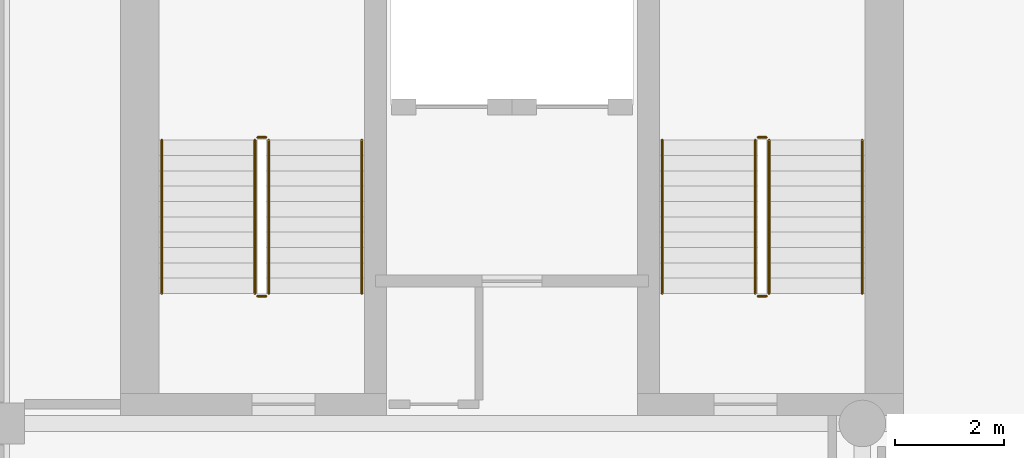
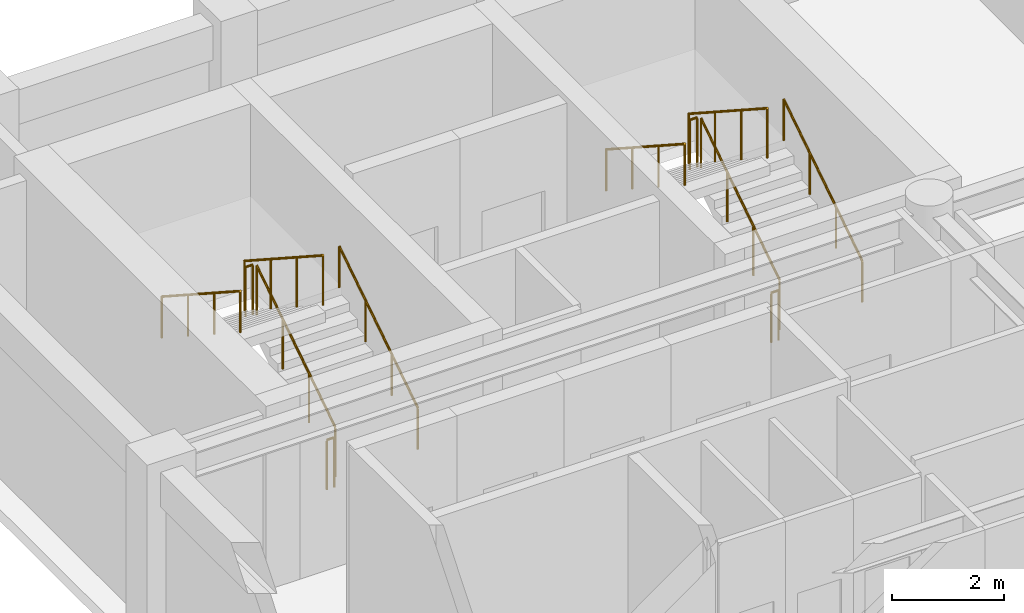
# One storey, part 7 of 8: 12 railings.
"""IFC4 building model written with IfcOpenShell, lengths in metres."""

from ifc_helpers import new_model, si_unit, direction, frame, origin, origin_2d, place, context, subcontext, project, spatial, circle, extrude, material, type_object, element, save


model = new_model("IFC4")

# Units and contexts
model_context = context("Model", 3, precision=1e-05, world=origin(), true_north=direction((0.0, 1.0)))
body_context = subcontext(model_context, "Body", "Model", "MODEL_VIEW")
ifc_project = project(units=[si_unit("LENGTHUNIT", "METRE"), si_unit("AREAUNIT", "SQUARE_METRE"), si_unit("VOLUMEUNIT", "CUBIC_METRE"), si_unit("PLANEANGLEUNIT", "RADIAN"), si_unit("MASSUNIT", "GRAM", prefix="KILO")], contexts=[model_context])

# Site, building, storey
site_placement = place(None, origin())
site = spatial("IfcSite", under=ifc_project, at=site_placement, CompositionType="ELEMENT")
building_placement = place(site_placement, origin())
building = spatial("IfcBuilding", under=site, at=building_placement, Name="Sulina Concourse Tower", CompositionType="ELEMENT")
storey_placement = place(building_placement, frame((0.0, 0.0, 248.60009765625)))
storey = spatial("IfcBuildingStorey", under=building, at=storey_placement, Name="L60", CompositionType="ELEMENT", Elevation=248.60009765625)

# Railings
ifc_material_1 = material(Name="Galvanised steel railing", Category="steel")
railing_type_1 = type_object("IfcRailingType", Name="Core Stair Steel Guardrail 1150mm", PredefinedType="GUARDRAIL", material=ifc_material_1)
railing_1_placement = place(storey_placement, frame((5.554931640625, 36.375, 0.181640625)))
element("IfcRailing", 1, at=railing_1_placement, inside=storey, type_object=railing_type_1, Name="L60 ST-1 stair guard 1", PredefinedType="GUARDRAIL", context=body_context, shape_type="SweptSolid", body=[
    extrude(circle(Radius=0.02392578125, at=origin_2d()), frame((0.0, 0.0, 1.076171875), z_axis=(0.0, 0.838672427954, 0.544636170843), x_axis=(-1.0, 0.0, 0.0)), (0.0, 0.0, 1.0), 3.338623046875),
    extrude(circle(Radius=0.02099609375, at=origin_2d()), origin(), (0.0, 0.0, 1.0), 1.052001953125),
    extrude(circle(Radius=0.02099609375, at=origin_2d()), frame((0.0, 0.933349609375, 0.606201171875)), (0.0, 0.0, 1.0), 1.052001953125),
    extrude(circle(Radius=0.02099609375, at=origin_2d()), frame((0.0, 1.86669921875, 1.212158203125)), (0.0, 0.0, 1.0), 1.052001953125),
    extrude(circle(Radius=0.02099609375, at=origin_2d()), frame((0.0, 2.800048828125, 1.818359375)), (0.0, 0.0, 1.0), 1.052001953125),
])
railing_2_placement = place(storey_placement, frame((5.5048828125, 39.22509765625, 2.0)))
element("IfcRailing", 2, at=railing_2_placement, inside=storey, type_object=railing_type_1, Name="L60 ST-1 stair guard 2", PredefinedType="GUARDRAIL", context=body_context, shape_type="SweptSolid", body=[
    extrude(circle(Radius=0.02392578125, at=origin_2d()), frame((0.0, 0.0, 1.076171875), z_axis=(-1.0, 0.0, 0.0), x_axis=(0.0, -1.0, 0.0)), (0.0, 0.0, 1.0), 0.14990234375),
    extrude(circle(Radius=0.02099609375, at=origin_2d()), origin(), (0.0, 0.0, 1.0), 1.052001953125),
    extrude(circle(Radius=0.02099609375, at=origin_2d()), frame((-0.14990234375, 0.0, 0.0)), (0.0, 0.0, 1.0), 1.052001953125),
])
railing_3_placement = place(storey_placement, frame((5.304931640625, 39.175048828125, 2.181640625)))
element("IfcRailing", 3, at=railing_3_placement, inside=storey, type_object=railing_type_1, Name="L60 ST-1 stair guard 3", PredefinedType="GUARDRAIL", context=body_context, shape_type="SweptSolid", body=[
    extrude(circle(Radius=0.02392578125, at=origin_2d()), frame((0.0, 0.0, 1.076171875), z_axis=(0.0, -0.838672427954, 0.544636170843), x_axis=(1.0, 0.0, 0.0)), (0.0, 0.0, 1.0), 3.338623046875),
    extrude(circle(Radius=0.02099609375, at=origin_2d()), origin(), (0.0, 0.0, 1.0), 1.052001953125),
    extrude(circle(Radius=0.02099609375, at=origin_2d()), frame((0.0, -0.933349609375, 0.606201171875)), (0.0, 0.0, 1.0), 1.052001953125),
    extrude(circle(Radius=0.02099609375, at=origin_2d()), frame((0.0, -1.86669921875, 1.212158203125)), (0.0, 0.0, 1.0), 1.052001953125),
    extrude(circle(Radius=0.02099609375, at=origin_2d()), frame((0.0, -2.800048828125, 1.818359375)), (0.0, 0.0, 1.0), 1.052001953125),
])
railing_4_placement = place(storey_placement, frame((5.5048828125, 36.324951171875, 0.0)))
element("IfcRailing", 4, at=railing_4_placement, inside=storey, type_object=railing_type_1, Name="L60 ST-1 stair guard 4", PredefinedType="GUARDRAIL", context=body_context, shape_type="SweptSolid", body=[
    extrude(circle(Radius=0.02392578125, at=origin_2d()), frame((0.0, 0.0, 1.076171875), z_axis=(-1.0, 0.0, 0.0), x_axis=(0.0, -1.0, 0.0)), (0.0, 0.0, 1.0), 0.14990234375),
    extrude(circle(Radius=0.02099609375, at=origin_2d()), origin(), (0.0, 0.0, 1.0), 1.052001953125),
    extrude(circle(Radius=0.02099609375, at=origin_2d()), frame((-0.14990234375, 0.0, 0.0)), (0.0, 0.0, 1.0), 1.052001953125),
])
railing_5_placement = place(storey_placement, frame((14.695068359375, 36.375, 0.181640625)))
element("IfcRailing", 5, at=railing_5_placement, inside=storey, type_object=railing_type_1, Name="L60 ST-2 stair guard 1", PredefinedType="GUARDRAIL", context=body_context, shape_type="SweptSolid", body=[
    extrude(circle(Radius=0.02392578125, at=origin_2d()), frame((0.0, 0.0, 1.076171875), z_axis=(0.0, 0.838672427954, 0.544636170843), x_axis=(-1.0, 0.0, 0.0)), (0.0, 0.0, 1.0), 3.338623046875),
    extrude(circle(Radius=0.02099609375, at=origin_2d()), origin(), (0.0, 0.0, 1.0), 1.052001953125),
    extrude(circle(Radius=0.02099609375, at=origin_2d()), frame((0.0, 0.933349609375, 0.606201171875)), (0.0, 0.0, 1.0), 1.052001953125),
    extrude(circle(Radius=0.02099609375, at=origin_2d()), frame((0.0, 1.86669921875, 1.212158203125)), (0.0, 0.0, 1.0), 1.052001953125),
    extrude(circle(Radius=0.02099609375, at=origin_2d()), frame((0.0, 2.800048828125, 1.818359375)), (0.0, 0.0, 1.0), 1.052001953125),
])
railing_6_placement = place(storey_placement, frame((14.64501953125, 39.22509765625, 2.0)))
element("IfcRailing", 6, at=railing_6_placement, inside=storey, type_object=railing_type_1, Name="L60 ST-2 stair guard 2", PredefinedType="GUARDRAIL", context=body_context, shape_type="SweptSolid", body=[
    extrude(circle(Radius=0.02392578125, at=origin_2d()), frame((0.0, 0.0, 1.076171875), z_axis=(-1.0, 0.0, 0.0), x_axis=(0.0, -1.0, 0.0)), (0.0, 0.0, 1.0), 0.14990234375),
    extrude(circle(Radius=0.02099609375, at=origin_2d()), origin(), (0.0, 0.0, 1.0), 1.052001953125),
    extrude(circle(Radius=0.02099609375, at=origin_2d()), frame((-0.14990234375, 0.0, 0.0)), (0.0, 0.0, 1.0), 1.052001953125),
])
railing_7_placement = place(storey_placement, frame((14.445068359375, 39.175048828125, 2.181640625)))
element("IfcRailing", 7, at=railing_7_placement, inside=storey, type_object=railing_type_1, Name="L60 ST-2 stair guard 3", PredefinedType="GUARDRAIL", context=body_context, shape_type="SweptSolid", body=[
    extrude(circle(Radius=0.02392578125, at=origin_2d()), frame((0.0, 0.0, 1.076171875), z_axis=(0.0, -0.838672427954, 0.544636170843), x_axis=(1.0, 0.0, 0.0)), (0.0, 0.0, 1.0), 3.338623046875),
    extrude(circle(Radius=0.02099609375, at=origin_2d()), origin(), (0.0, 0.0, 1.0), 1.052001953125),
    extrude(circle(Radius=0.02099609375, at=origin_2d()), frame((0.0, -0.933349609375, 0.606201171875)), (0.0, 0.0, 1.0), 1.052001953125),
    extrude(circle(Radius=0.02099609375, at=origin_2d()), frame((0.0, -1.86669921875, 1.212158203125)), (0.0, 0.0, 1.0), 1.052001953125),
    extrude(circle(Radius=0.02099609375, at=origin_2d()), frame((0.0, -2.800048828125, 1.818359375)), (0.0, 0.0, 1.0), 1.052001953125),
])
railing_8_placement = place(storey_placement, frame((14.64501953125, 36.324951171875, 0.0)))
element("IfcRailing", 8, at=railing_8_placement, inside=storey, type_object=railing_type_1, Name="L60 ST-2 stair guard 4", PredefinedType="GUARDRAIL", context=body_context, shape_type="SweptSolid", body=[
    extrude(circle(Radius=0.02392578125, at=origin_2d()), frame((0.0, 0.0, 1.076171875), z_axis=(-1.0, 0.0, 0.0), x_axis=(0.0, -1.0, 0.0)), (0.0, 0.0, 1.0), 0.14990234375),
    extrude(circle(Radius=0.02099609375, at=origin_2d()), origin(), (0.0, 0.0, 1.0), 1.052001953125),
    extrude(circle(Radius=0.02099609375, at=origin_2d()), frame((-0.14990234375, 0.0, 0.0)), (0.0, 0.0, 1.0), 1.052001953125),
])
ifc_material_2 = material(Name="Galvanised steel railing", Category="steel")
railing_type_2 = type_object("IfcRailingType", Name="Stair Wall Steel Handrail 920mm", PredefinedType="HANDRAIL", material=ifc_material_2)
railing_9_placement = place(storey_placement, frame((7.2548828125, 36.375, 0.181640625)))
element("IfcRailing", 9, at=railing_9_placement, inside=storey, type_object=railing_type_2, Name="L60 ST-1 stair handrail 1", PredefinedType="HANDRAIL", context=body_context, shape_type="SweptSolid", body=[
    extrude(circle(Radius=0.02392578125, at=origin_2d()), frame((0.0, 0.0, 0.89599609375), z_axis=(0.0, 0.838672427954, 0.544636170843), x_axis=(-1.0, 0.0, 0.0)), (0.0, 0.0, 1.0), 3.338623046875),
    extrude(circle(Radius=0.02099609375, at=origin_2d()), origin(), (0.0, 0.0, 1.0), 0.871826171875),
    extrude(circle(Radius=0.02099609375, at=origin_2d()), frame((0.0, 0.933349609375, 0.606201171875)), (0.0, 0.0, 1.0), 0.871826171875),
    extrude(circle(Radius=0.02099609375, at=origin_2d()), frame((0.0, 1.86669921875, 1.212158203125)), (0.0, 0.0, 1.0), 0.871826171875),
    extrude(circle(Radius=0.02099609375, at=origin_2d()), frame((0.0, 2.800048828125, 1.818359375)), (0.0, 0.0, 1.0), 0.871826171875),
])
railing_10_placement = place(storey_placement, frame((3.60498046875, 39.175048828125, 2.181640625)))
element("IfcRailing", 10, at=railing_10_placement, inside=storey, type_object=railing_type_2, Name="L60 ST-1 stair handrail 2", PredefinedType="HANDRAIL", context=body_context, shape_type="SweptSolid", body=[
    extrude(circle(Radius=0.02392578125, at=origin_2d()), frame((0.0, 0.0, 0.89599609375), z_axis=(0.0, -0.838672427954, 0.544636170843), x_axis=(1.0, 0.0, 0.0)), (0.0, 0.0, 1.0), 3.338623046875),
    extrude(circle(Radius=0.02099609375, at=origin_2d()), origin(), (0.0, 0.0, 1.0), 0.871826171875),
    extrude(circle(Radius=0.02099609375, at=origin_2d()), frame((0.0, -0.933349609375, 0.606201171875)), (0.0, 0.0, 1.0), 0.871826171875),
    extrude(circle(Radius=0.02099609375, at=origin_2d()), frame((0.0, -1.86669921875, 1.212158203125)), (0.0, 0.0, 1.0), 0.871826171875),
    extrude(circle(Radius=0.02099609375, at=origin_2d()), frame((0.0, -2.800048828125, 1.818359375)), (0.0, 0.0, 1.0), 0.871826171875),
])
railing_11_placement = place(storey_placement, frame((16.39501953125, 36.375, 0.181640625)))
element("IfcRailing", 11, at=railing_11_placement, inside=storey, type_object=railing_type_2, Name="L60 ST-2 stair handrail 1", PredefinedType="HANDRAIL", context=body_context, shape_type="SweptSolid", body=[
    extrude(circle(Radius=0.02392578125, at=origin_2d()), frame((0.0, 0.0, 0.89599609375), z_axis=(0.0, 0.838672427954, 0.544636170843), x_axis=(-1.0, 0.0, 0.0)), (0.0, 0.0, 1.0), 3.338623046875),
    extrude(circle(Radius=0.02099609375, at=origin_2d()), origin(), (0.0, 0.0, 1.0), 0.871826171875),
    extrude(circle(Radius=0.02099609375, at=origin_2d()), frame((0.0, 0.933349609375, 0.606201171875)), (0.0, 0.0, 1.0), 0.871826171875),
    extrude(circle(Radius=0.02099609375, at=origin_2d()), frame((0.0, 1.86669921875, 1.212158203125)), (0.0, 0.0, 1.0), 0.871826171875),
    extrude(circle(Radius=0.02099609375, at=origin_2d()), frame((0.0, 2.800048828125, 1.818359375)), (0.0, 0.0, 1.0), 0.871826171875),
])
railing_12_placement = place(storey_placement, frame((12.7451171875, 39.175048828125, 2.181640625)))
element("IfcRailing", 12, at=railing_12_placement, inside=storey, type_object=railing_type_2, Name="L60 ST-2 stair handrail 2", PredefinedType="HANDRAIL", context=body_context, shape_type="SweptSolid", body=[
    extrude(circle(Radius=0.02392578125, at=origin_2d()), frame((0.0, 0.0, 0.89599609375), z_axis=(0.0, -0.838672427954, 0.544636170843), x_axis=(1.0, 0.0, 0.0)), (0.0, 0.0, 1.0), 3.338623046875),
    extrude(circle(Radius=0.02099609375, at=origin_2d()), origin(), (0.0, 0.0, 1.0), 0.871826171875),
    extrude(circle(Radius=0.02099609375, at=origin_2d()), frame((0.0, -0.933349609375, 0.606201171875)), (0.0, 0.0, 1.0), 0.871826171875),
    extrude(circle(Radius=0.02099609375, at=origin_2d()), frame((0.0, -1.86669921875, 1.212158203125)), (0.0, 0.0, 1.0), 0.871826171875),
    extrude(circle(Radius=0.02099609375, at=origin_2d()), frame((0.0, -2.800048828125, 1.818359375)), (0.0, 0.0, 1.0), 0.871826171875),
])

save(model, "model.ifc")
